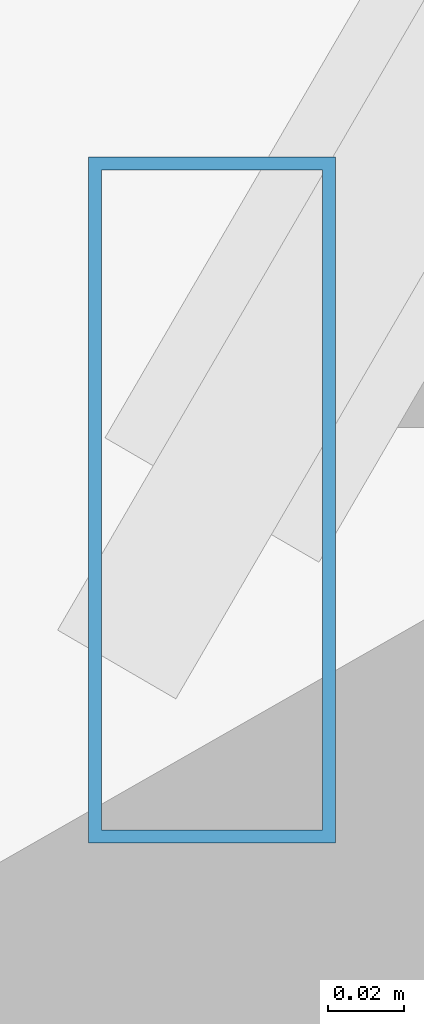
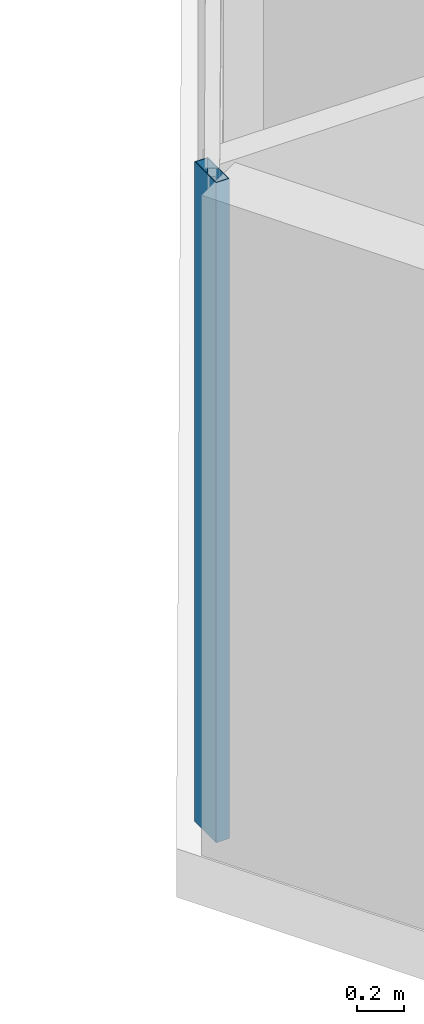
# One storey, part 5 of 34: 1 member, 1 element without a shape of its own.
"""IFC4 building model written with IfcOpenShell, lengths in metres."""

from ifc_helpers import new_model, si_unit, direction, frame, origin, origin_2d, place, context, subcontext, project, spatial, hollow_rectangle, extrude, source, transform, mapped, material, material_profile, profile_set, type_object, type_shapes, element, aggregate, save


model = new_model("IFC4")

# Units and contexts
model_context = context("Model", 3, precision=1e-05, world=origin(), true_north=direction((0.0, 1.0)))
body_context = subcontext(model_context, "Body", "Model", "MODEL_VIEW")
ifc_project = project(units=[si_unit("LENGTHUNIT", "METRE"), si_unit("AREAUNIT", "SQUARE_METRE"), si_unit("VOLUMEUNIT", "CUBIC_METRE"), si_unit("PLANEANGLEUNIT", "RADIAN"), si_unit("MASSUNIT", "GRAM", prefix="KILO")], contexts=[model_context])

# Site, building, storey
site_placement = place(None, origin())
site = spatial("IfcSite", under=ifc_project, at=site_placement, CompositionType="ELEMENT")
building_placement = place(site_placement, origin())
building = spatial("IfcBuilding", under=site, at=building_placement, Name="Caelisora Broadcast Tower", CompositionType="ELEMENT")
storey_placement = place(building_placement, frame((0.0, 0.0, 49.5)))
storey = spatial("IfcBuildingStorey", under=building, at=storey_placement, Name="L12", CompositionType="ELEMENT", Elevation=49.5)

# Curtain wall, member
ifc_material_1 = material(Name="Unitised Aluminium and Low-E Glass Curtain Wall", Category="glass")
curtain_wall_type = type_object("IfcCurtainWallType", Name="CW-Z1", PredefinedType="NOTDEFINED", material=ifc_material_1)
curtain_wall_placement = place(storey_placement, origin())
curtain_wall = element("IfcCurtainWall", 1, at=curtain_wall_placement, inside=storey, type_object=curtain_wall_type, Name="L12 curtain wall CW-Z1", PredefinedType="NOTDEFINED")
ifc_material_2 = material(Name="Aluminium 6063-T6 Anodised Terracotta Bronze", Category="aluminium")
ifc_material_profile = material_profile(ifc_material_2, hollow_rectangle(XDim=0.06494140625, YDim=0.179931640625, WallThickness=0.00341796875, at=origin_2d()), Name="Aluminium 6063-T6 Anodised Terracotta Bronze")
ifc_profile_set = profile_set([ifc_material_profile], Name="Aluminium 6063-T6 Anodised Terracotta Bronze")
member_type = type_object("IfcMemberType", Name="CWM-02", PredefinedType="MULLION", material=ifc_profile_set)
shared_shape = source(origin(), body_context, "Body", "SweptSolid", [
    extrude(hollow_rectangle(XDim=0.06494140625, YDim=0.179931640625, WallThickness=0.00341796875, at=origin_2d()), origin(), (0.0, 0.0, 1.0), 3.39990234375),
])
type_shapes(member_type, [shared_shape])
member_placement = place(storey_placement, frame((11.08203125, 17.01611328125, 0.0), z_axis=(0.0, 0.0, 1.0), x_axis=(1.0, 0.0, 0.0)))
member = element("IfcMember", 2, at=member_placement, type_object=member_type, Name="L12-CW-B09 mullion #0", PredefinedType="MULLION", context=body_context, shape_type="MappedRepresentation", body=[
    mapped(shared_shape, transform((0.0, 0.0, 0.0), scale=1.0)),
])
aggregate(curtain_wall, [member])

save(model, "model.ifc")
